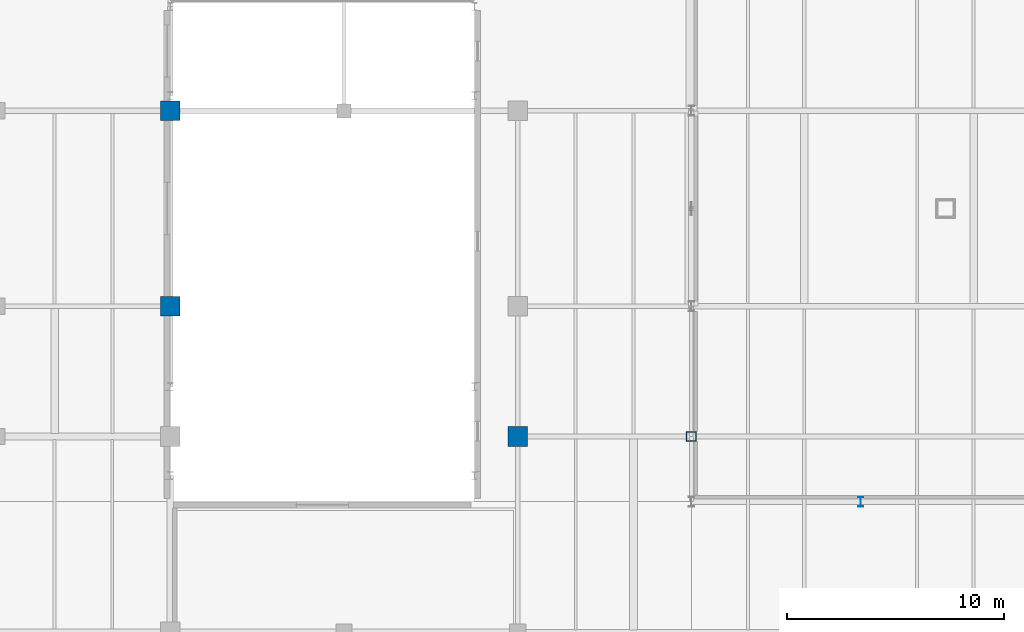
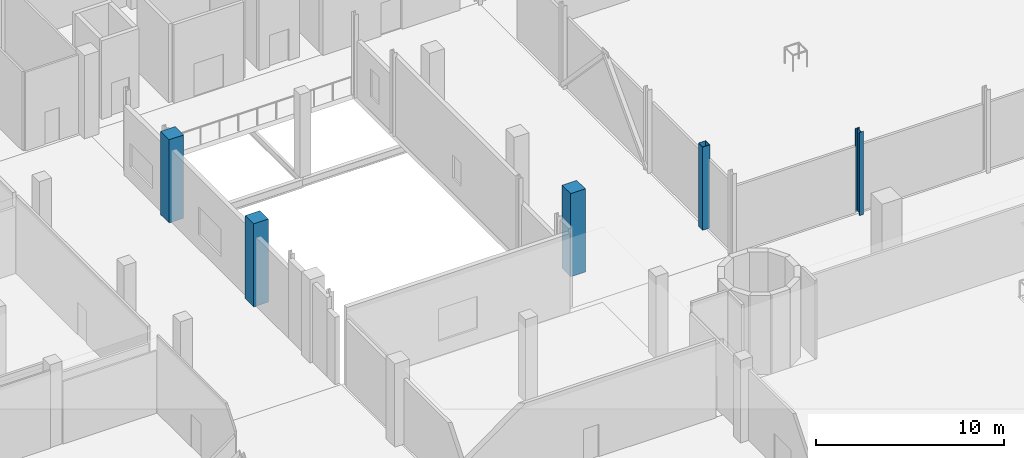
# One storey, part 4 of 57: 5 columns.
"""IFC4 building model written with IfcOpenShell, lengths in metres."""

from ifc_helpers import new_model, si_unit, derived_unit, direction, frame, origin, origin_2d, place, context, subcontext, project, spatial, rectangle, hollow_rectangle, i_section, extrude, material, material_profile, profile_set, type_object, element, save


model = new_model("IFC4")

# Units and contexts
model_context = context("Model", 3, precision=1e-05, world=origin(), true_north=direction((0.0, 1.0)))
body_context = subcontext(model_context, "Body", "Model", "MODEL_VIEW")
ifc_project = project(units=[si_unit("LENGTHUNIT", "METRE"), si_unit("AREAUNIT", "SQUARE_METRE"), si_unit("VOLUMEUNIT", "CUBIC_METRE"), si_unit("PLANEANGLEUNIT", "RADIAN"), si_unit("MASSUNIT", "GRAM", prefix="KILO"), derived_unit("THERMALTRANSMITTANCEUNIT", [(si_unit("POWERUNIT", "WATT"), 1), (si_unit("LENGTHUNIT", "METRE"), -2), (si_unit("THERMODYNAMICTEMPERATUREUNIT", "KELVIN"), -1)])], contexts=[model_context])

# Site, building, storey
site_placement = place(None, origin())
site = spatial("IfcSite", under=ifc_project, at=site_placement, CompositionType="ELEMENT")
building_placement = place(site_placement, origin())
building = spatial("IfcBuilding", under=site, at=building_placement, Name="Nallur Shell Playhouse", CompositionType="ELEMENT")
storey_placement = place(building_placement, origin())
storey = spatial("IfcBuildingStorey", under=building, at=storey_placement, Name="L01", CompositionType="ELEMENT", Elevation=0.0)

# Columns
ifc_material_1 = material(Name="Concrete M40", Category="concrete")
ifc_material_profile_1 = material_profile(ifc_material_1, rectangle(XDim=0.89990234375, YDim=0.89990234375, at=origin_2d()), Name="RC 900x900")
ifc_profile_set_1 = profile_set([ifc_material_profile_1], Name="Concrete M40")
column_type_1 = type_object("IfcColumnType", Name="CL-RC-900", PredefinedType="COLUMN", material=ifc_profile_set_1)
for number, where, z_axis, x_axis, name in (
    (1, (40.0, 56.0, 0.0), (0.0, 0.0, 1.0), (1.0, 0.0, 0.0), "Column 5-G (L01)"),
    (2, (40.0, 65.0, 0.0), (0.0, 0.0, 1.0), (1.0, 0.0, 0.0), "Column 5-H (L01)"),
    (3, (56.0, 50.0, 0.0), (0.0, 0.0, 1.0), (1.0, 0.0, 0.0), "Column 7-F (L01)"),
):
    element("IfcColumn", number, at=place(storey_placement, frame(where, z_axis=z_axis, x_axis=x_axis)), inside=storey, type_object=column_type_1, Name=name, PredefinedType="COLUMN", context=body_context, shape_type="SweptSolid", body=[
        extrude(rectangle(XDim=0.89990234375, YDim=0.89990234375, at=origin_2d()), origin(), (0.0, 0.0, 1.0), 5.39990234375),
    ])
ifc_material_2 = material(Name="Steel E350", Category="steel")
ifc_material_profile_2 = material_profile(ifc_material_2, hollow_rectangle(XDim=0.449951171875, YDim=0.449951171875, WallThickness=0.02001953125, at=origin_2d()), Name="BOX 450x450x20")
ifc_profile_set_2 = profile_set([ifc_material_profile_2], Name="Steel E350")
column_type_2 = type_object("IfcColumnType", Name="CL-ST-BOX450", PredefinedType="COLUMN", material=ifc_profile_set_2)
column_1_placement = place(storey_placement, frame((64.0, 50.0, 0.0), z_axis=(0.0, 0.0, 1.0), x_axis=(1.0, 0.0, 0.0)))
element("IfcColumn", 4, at=column_1_placement, inside=storey, type_object=column_type_2, Name="Column 8-F (L01)", PredefinedType="COLUMN", context=body_context, shape_type="SweptSolid", body=[
    extrude(hollow_rectangle(XDim=0.449951171875, YDim=0.449951171875, WallThickness=0.02001953125, at=origin_2d()), origin(), (0.0, 0.0, 1.0), 5.39990234375),
])
ifc_material_profile_3 = material_profile(ifc_material_2, i_section(OverallWidth=0.25, OverallDepth=0.449951171875, WebThickness=0.01123046875, FlangeThickness=0.013671875, FilletRadius=0.014892578125, at=origin_2d()), Name="ISHB 450")
ifc_profile_set_3 = profile_set([ifc_material_profile_3], Name="Steel E350")
column_type_3 = type_object("IfcColumnType", Name="CL-ST-ISHB450", PredefinedType="COLUMN", material=ifc_profile_set_3)
column_2_placement = place(storey_placement, frame((71.800048828125, 47.0, 0.0), z_axis=(0.0, 0.0, 1.0), x_axis=(1.0, 0.0, 0.0)))
element("IfcColumn", 5, at=column_2_placement, inside=storey, type_object=column_type_3, Name="Column PROSC-2 (L01)", PredefinedType="COLUMN", context=body_context, shape_type="SweptSolid", body=[
    extrude(i_section(OverallWidth=0.25, OverallDepth=0.449951171875, WebThickness=0.01123046875, FlangeThickness=0.013671875, FilletRadius=0.014892578125, at=origin_2d()), origin(), (0.0, 0.0, 1.0), 5.39990234375),
])

save(model, "model.ifc")
